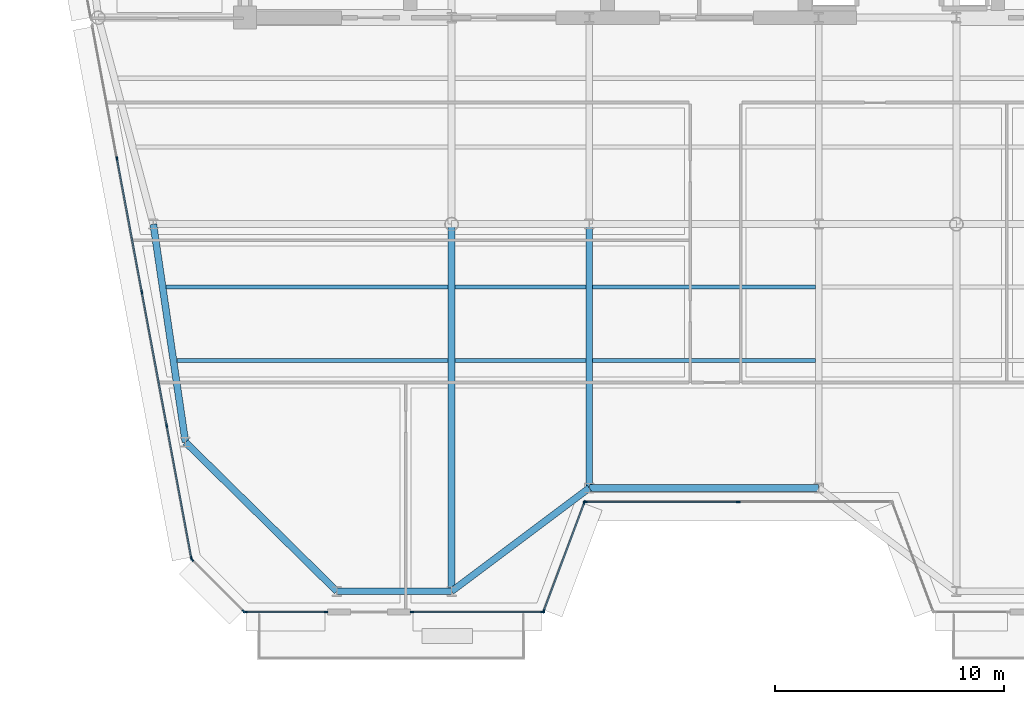
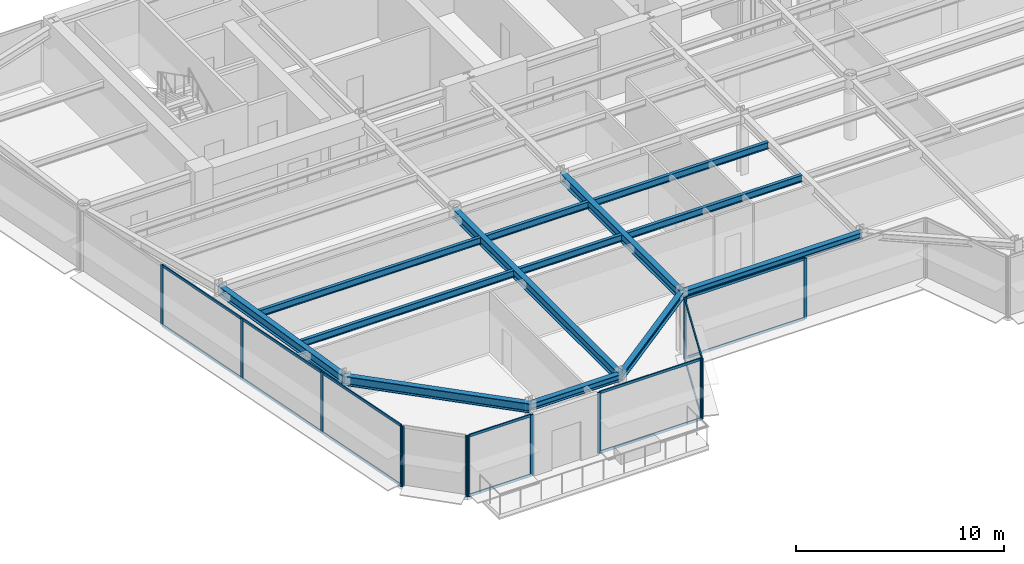
# One storey, part 2 of 14: 28 members, 13 beams, 6 elements without a shape of their own.
"""IFC4 building model written with IfcOpenShell, lengths in metres."""

from ifc_helpers import new_model, si_unit, direction, frame, origin, origin_2d, place, context, subcontext, project, spatial, rectangle, i_section, extrude, source, transform, mapped, material, layer, layer_set, material_profile, profile_set, type_object, element, aggregate, save


model = new_model("IFC4")

# Units and contexts
model_context = context("Model", 3, precision=1e-05, world=origin(), true_north=direction((0.0, 1.0)))
body_context = subcontext(model_context, "Body", "Model", "MODEL_VIEW")
ifc_project = project(units=[si_unit("LENGTHUNIT", "METRE"), si_unit("AREAUNIT", "SQUARE_METRE"), si_unit("VOLUMEUNIT", "CUBIC_METRE"), si_unit("PLANEANGLEUNIT", "RADIAN"), si_unit("MASSUNIT", "GRAM", prefix="KILO")], contexts=[model_context])

# Site, building, storey
site_placement = place(None, origin())
site = spatial("IfcSite", under=ifc_project, at=site_placement, CompositionType="ELEMENT")
building_placement = place(site_placement, origin())
building = spatial("IfcBuilding", under=site, at=building_placement, Name="Vaeldorn Concourse Tower", CompositionType="ELEMENT")
storey_placement = place(building_placement, frame((0.0, 0.0, 238.39990234375)))
storey = spatial("IfcBuildingStorey", under=building, at=storey_placement, Name="L61", CompositionType="ELEMENT", Elevation=238.39990234375)

# Beams
ifc_material_1 = material(Name="Steel S355", Category="steel")
ifc_material_profile_1 = material_profile(ifc_material_1, i_section(OverallWidth=0.300048828125, OverallDepth=0.39990234375, WebThickness=0.013427734375, FlangeThickness=0.02392578125, FilletRadius=0.027099609375, at=origin_2d()), Name="HEB 400")
ifc_profile_set_1 = profile_set([ifc_material_profile_1], Name="Steel S355")
beam_type_1 = type_object("IfcBeamType", Name="BM-SP-HEB400", PredefinedType="SPANDREL", material=ifc_profile_set_1)
shared_shape_1 = source(origin(), body_context, "Body", "SweptSolid", [
    extrude(i_section(OverallWidth=0.300048828125, OverallDepth=0.39990234375, WebThickness=0.013427734375, FlangeThickness=0.02392578125, FilletRadius=0.027099609375, at=origin_2d()), origin(), (0.0, 0.0, 1.0), 5.0),
])
beam_1_placement = place(storey_placement, frame((18.0, 11.5, 3.380126953125), z_axis=(1.0, 0.0, 0.0), x_axis=(0.0, 1.0, 0.0)))
element("IfcBeam", 1, at=beam_1_placement, inside=storey, type_object=beam_type_1, Name="Beam BM-L61-C-SF1-C-SF2", PredefinedType="SPANDREL", context=body_context, shape_type="MappedRepresentation", body=[
    mapped(shared_shape_1, transform((0.0, 0.0, 0.0), scale=1.0)),
])
shared_shape_2 = source(origin(), body_context, "Body", "SweptSolid", [
    extrude(i_section(OverallWidth=0.300048828125, OverallDepth=0.39990234375, WebThickness=0.013427734375, FlangeThickness=0.02392578125, FilletRadius=0.027099609375, at=origin_2d()), origin(), (0.0, 0.0, 1.0), 7.5),
])
beam_2_placement = place(storey_placement, frame((23.0, 11.5, 3.380126953125), z_axis=(0.8, 0.6, 0.0), x_axis=(-0.6, 0.8, 0.0)))
element("IfcBeam", 2, at=beam_2_placement, inside=storey, type_object=beam_type_1, Name="Beam BM-L61-C-SF2-C-SF3", PredefinedType="SPANDREL", context=body_context, shape_type="MappedRepresentation", body=[
    mapped(shared_shape_2, transform((0.0, 0.0, 0.0), scale=1.0)),
])
shared_shape_3 = source(origin(), body_context, "Body", "SweptSolid", [
    extrude(i_section(OverallWidth=0.300048828125, OverallDepth=0.39990234375, WebThickness=0.013427734375, FlangeThickness=0.02392578125, FilletRadius=0.027099609375, at=origin_2d()), origin(), (0.0, 0.0, 1.0), 10.0),
])
beam_3_placement = place(storey_placement, frame((29.0, 16.0, 3.380126953125), z_axis=(1.0, 0.0, 0.0), x_axis=(0.0, 1.0, 0.0)))
element("IfcBeam", 3, at=beam_3_placement, inside=storey, type_object=beam_type_1, Name="Beam BM-L61-C-SF3-C-SF4", PredefinedType="SPANDREL", context=body_context, shape_type="MappedRepresentation", body=[
    mapped(shared_shape_3, transform((0.0, 0.0, 0.0), scale=1.0)),
])
ifc_material_profile_2 = material_profile(ifc_material_1, i_section(OverallWidth=0.179931640625, OverallDepth=0.39990234375, WebThickness=0.008544921875, FlangeThickness=0.013427734375, FilletRadius=0.02099609375, at=origin_2d()), Name="IPE 400")
ifc_profile_set_2 = profile_set([ifc_material_profile_2], Name="Steel S355")
beam_type_2 = type_object("IfcBeamType", Name="BM-JS-IPE400", PredefinedType="JOIST", material=ifc_profile_set_2)
shared_shape_4 = source(origin(), body_context, "Body", "SweptSolid", [
    extrude(i_section(OverallWidth=0.179931640625, OverallDepth=0.39990234375, WebThickness=0.008544921875, FlangeThickness=0.013427734375, FilletRadius=0.02099609375, at=origin_2d()), origin(), (0.0, 0.0, 1.0), 5.7001953125),
])
for number, where, z_axis, x_axis, name in (
    (4, (23.14990234375, 21.56005859375, 3.380126953125), (1.0, 0.0, 0.0), (0.0, 1.0, 0.0), "Beam JS-L61-W2-215"),
    (5, (23.14990234375, 24.760009765625, 3.380126953125), (1.0, 0.0, 0.0), (0.0, 1.0, 0.0), "Beam JS-L61-W2-247"),
):
    element("IfcBeam", number, at=place(storey_placement, frame(where, z_axis=z_axis, x_axis=x_axis)), inside=storey, type_object=beam_type_2, Name=name, PredefinedType="JOIST", context=body_context, shape_type="MappedRepresentation", body=[
        mapped(shared_shape_4, transform((0.0, 0.0, 0.0), scale=1.0)),
    ])
shared_shape_5 = source(origin(), body_context, "Body", "SweptSolid", [
    extrude(i_section(OverallWidth=0.179931640625, OverallDepth=0.39990234375, WebThickness=0.008544921875, FlangeThickness=0.013427734375, FilletRadius=0.02099609375, at=origin_2d()), origin(), (0.0, 0.0, 1.0), 9.7001953125),
])
for number, where, z_axis, x_axis, name in (
    (6, (29.14990234375, 21.56005859375, 3.380126953125), (1.0, 0.0, 0.0), (0.0, 1.0, 0.0), "Beam JS-L61-C-215"),
    (7, (29.14990234375, 24.760009765625, 3.380126953125), (1.0, 0.0, 0.0), (0.0, 1.0, 0.0), "Beam JS-L61-C-247"),
):
    element("IfcBeam", number, at=place(storey_placement, frame(where, z_axis=z_axis, x_axis=x_axis)), inside=storey, type_object=beam_type_2, Name=name, PredefinedType="JOIST", context=body_context, shape_type="MappedRepresentation", body=[
        mapped(shared_shape_5, transform((0.0, 0.0, 0.0), scale=1.0)),
    ])
shared_shape_6 = source(origin(), body_context, "Body", "SweptSolid", [
    extrude(i_section(OverallWidth=0.179931640625, OverallDepth=0.39990234375, WebThickness=0.008544921875, FlangeThickness=0.013427734375, FilletRadius=0.02099609375, at=origin_2d()), origin(), (0.0, 0.0, 1.0), 11.82470703125),
])
beam_4_placement = place(storey_placement, frame((11.025390625, 21.56005859375, 3.380126953125), z_axis=(1.0, 0.0, 0.0), x_axis=(0.0, 1.0, 0.0)))
element("IfcBeam", 8, at=beam_4_placement, inside=storey, type_object=beam_type_2, Name="Beam JS-L61-W1-215", PredefinedType="JOIST", context=body_context, shape_type="MappedRepresentation", body=[
    mapped(shared_shape_6, transform((0.0, 0.0, 0.0), scale=1.0)),
])
shared_shape_7 = source(origin(), body_context, "Body", "SweptSolid", [
    extrude(i_section(OverallWidth=0.179931640625, OverallDepth=0.39990234375, WebThickness=0.008544921875, FlangeThickness=0.013427734375, FilletRadius=0.02099609375, at=origin_2d()), origin(), (0.0, 0.0, 1.0), 12.29638671875),
])
beam_5_placement = place(storey_placement, frame((10.5537109375, 24.760009765625, 3.380126953125), z_axis=(1.0, 0.0, 0.0), x_axis=(0.0, 1.0, 0.0)))
element("IfcBeam", 9, at=beam_5_placement, inside=storey, type_object=beam_type_2, Name="Beam JS-L61-W1-247", PredefinedType="JOIST", context=body_context, shape_type="MappedRepresentation", body=[
    mapped(shared_shape_7, transform((0.0, 0.0, 0.0), scale=1.0)),
])
ifc_material_profile_3 = material_profile(ifc_material_1, i_section(OverallWidth=0.300048828125, OverallDepth=0.550048828125, WebThickness=0.014892578125, FlangeThickness=0.029052734375, FilletRadius=0.027099609375, at=origin_2d()), Name="HEB 550")
ifc_profile_set_3 = profile_set([ifc_material_profile_3], Name="Steel S355")
beam_type_3 = type_object("IfcBeamType", Name="BM-PG-HEB550", PredefinedType="BEAM", material=ifc_profile_set_3)
shared_shape_8 = source(origin(), body_context, "Body", "SweptSolid", [
    extrude(i_section(OverallWidth=0.300048828125, OverallDepth=0.550048828125, WebThickness=0.014892578125, FlangeThickness=0.029052734375, FilletRadius=0.027099609375, at=origin_2d()), origin(), (0.0, 0.0, 1.0), 9.6025390625),
])
beam_6_placement = place(storey_placement, frame((10.0, 27.5, 3.30517578125), z_axis=(0.145783835977, -0.989316467652, 0.0), x_axis=(0.989316467652, 0.145783835977, 0.0)))
element("IfcBeam", 10, at=beam_6_placement, inside=storey, type_object=beam_type_3, Name="Beam BM-L61-C-FLW1-C-FLW2", PredefinedType="BEAM", context=body_context, shape_type="MappedRepresentation", body=[
    mapped(shared_shape_8, transform((0.0, 0.0, 0.0), scale=1.0)),
])
shared_shape_9 = source(origin(), body_context, "Body", "SweptSolid", [
    extrude(i_section(OverallWidth=0.300048828125, OverallDepth=0.550048828125, WebThickness=0.014892578125, FlangeThickness=0.029052734375, FilletRadius=0.027099609375, at=origin_2d()), origin(), (0.0, 0.0, 1.0), 9.263427734375),
])
beam_7_placement = place(storey_placement, frame((18.0, 11.5, 3.30517578125), z_axis=(-0.71248897494, 0.701683305053, 0.0), x_axis=(-0.701683305053, -0.71248897494, 0.0)))
element("IfcBeam", 11, at=beam_7_placement, inside=storey, type_object=beam_type_3, Name="Beam BM-L61-C-SF1-C-FLW2", PredefinedType="BEAM", context=body_context, shape_type="MappedRepresentation", body=[
    mapped(shared_shape_9, transform((0.0, 0.0, 0.0), scale=1.0)),
])
shared_shape_10 = source(origin(), body_context, "Body", "SweptSolid", [
    extrude(i_section(OverallWidth=0.300048828125, OverallDepth=0.550048828125, WebThickness=0.014892578125, FlangeThickness=0.029052734375, FilletRadius=0.027099609375, at=origin_2d()), origin(), (0.0, 0.0, 1.0), 16.0),
])
beam_8_placement = place(storey_placement, frame((23.0, 11.5, 3.30517578125), z_axis=(0.0, 1.0, 0.0), x_axis=(-1.0, 0.0, 0.0)))
element("IfcBeam", 12, at=beam_8_placement, inside=storey, type_object=beam_type_3, Name="Beam BM-L61-C-SF2-C-TW1", PredefinedType="BEAM", context=body_context, shape_type="MappedRepresentation", body=[
    mapped(shared_shape_10, transform((0.0, 0.0, 0.0), scale=1.0)),
])
shared_shape_11 = source(origin(), body_context, "Body", "SweptSolid", [
    extrude(i_section(OverallWidth=0.300048828125, OverallDepth=0.550048828125, WebThickness=0.014892578125, FlangeThickness=0.029052734375, FilletRadius=0.027099609375, at=origin_2d()), origin(), (0.0, 0.0, 1.0), 11.5),
])
beam_9_placement = place(storey_placement, frame((29.0, 16.0, 3.30517578125), z_axis=(0.0, 1.0, 0.0), x_axis=(-1.0, 0.0, 0.0)))
element("IfcBeam", 13, at=beam_9_placement, inside=storey, type_object=beam_type_3, Name="Beam BM-L61-C-SF3-C-TW2", PredefinedType="BEAM", context=body_context, shape_type="MappedRepresentation", body=[
    mapped(shared_shape_11, transform((0.0, 0.0, 0.0), scale=1.0)),
])

# Curtain wall, members
ifc_material_2 = material(Name="Anodised Bronze Aluminium", Category="aluminium")
ifc_layer = layer(ifc_material_2, 0.2099609375)
ifc_layer_set = layer_set([ifc_layer], Name="Anodised Bronze Aluminium")
curtain_wall_type = type_object("IfcCurtainWallType", Name="CW-SYS-06", PredefinedType="NOTDEFINED", material=ifc_layer_set)
curtain_wall_1_placement = place(storey_placement, origin())
curtain_wall_1 = element("IfcCurtainWall", 14, at=curtain_wall_1_placement, inside=storey, type_object=curtain_wall_type, Name="Unitised Curtain Wall CW-L61-E02-1", PredefinedType="NOTDEFINED")
ifc_material_profile_4 = material_profile(ifc_material_2, rectangle(XDim=0.06494140625, YDim=0.14990234375, at=origin_2d()), Name="CWT 65x150")
ifc_profile_set_4 = profile_set([ifc_material_profile_4], Name="Anodised Bronze Aluminium")
member_type_1 = type_object("IfcMemberType", Name="CWT-BRONZE-150", PredefinedType="USERDEFINED", material=ifc_profile_set_4)
shared_shape_12 = source(origin(), body_context, "Body", "SweptSolid", [
    extrude(rectangle(XDim=0.06494140625, YDim=0.14990234375, at=origin_2d()), origin(), (0.0, 0.0, 1.0), 4.996337890625),
])
member_1_placement = place(storey_placement, frame((27.022705078125, 10.660888671875, 0.03271484375), z_axis=(0.351134151405, 0.936325161318, 0.0), x_axis=(-0.936325161318, 0.351134151405, 0.0)))
member_1 = element("IfcMember", 15, at=member_1_placement, type_object=member_type_1, Name="CW-06 transom 1.1", ObjectType="TRANSOM", PredefinedType="USERDEFINED", context=body_context, shape_type="MappedRepresentation", body=[
    mapped(shared_shape_12, transform((0.0, 0.0, 0.0), scale=1.0)),
])
member_2_placement = place(storey_placement, frame((27.022705078125, 10.660888671875, 3.547607421875), z_axis=(0.351134151405, 0.936325161318, 0.0), x_axis=(-0.936325161318, 0.351134151405, 0.0)))
member_2 = element("IfcMember", 16, at=member_2_placement, type_object=member_type_1, Name="CW-06 transom 1.2", ObjectType="TRANSOM", PredefinedType="USERDEFINED", context=body_context, shape_type="MappedRepresentation", body=[
    mapped(shared_shape_12, transform((0.0, 0.0, 0.0), scale=1.0)),
])

curtain_wall_2_placement = place(storey_placement, origin())
curtain_wall_2 = element("IfcCurtainWall", 17, at=curtain_wall_2_placement, inside=storey, type_object=curtain_wall_type, Name="Unitised Curtain Wall CW-L61-E03-1", PredefinedType="NOTDEFINED")
shared_shape_13 = source(origin(), body_context, "Body", "SweptSolid", [
    extrude(rectangle(XDim=0.06494140625, YDim=0.14990234375, at=origin_2d()), origin(), (0.0, 0.0, 1.0), 6.6025390625),
])
member_3_placement = place(storey_placement, frame((28.864990234375, 15.39990234375, 0.03271484375), z_axis=(1.0, 0.0, 0.0), x_axis=(0.0, 1.0, 0.0)))
member_3 = element("IfcMember", 18, at=member_3_placement, type_object=member_type_1, Name="CW-06 transom 1.1", ObjectType="TRANSOM", PredefinedType="USERDEFINED", context=body_context, shape_type="MappedRepresentation", body=[
    mapped(shared_shape_13, transform((0.0, 0.0, 0.0), scale=1.0)),
])
member_4_placement = place(storey_placement, frame((28.864990234375, 15.39990234375, 3.547607421875), z_axis=(1.0, 0.0, 0.0), x_axis=(0.0, 1.0, 0.0)))
member_4 = element("IfcMember", 19, at=member_4_placement, type_object=member_type_1, Name="CW-06 transom 1.2", ObjectType="TRANSOM", PredefinedType="USERDEFINED", context=body_context, shape_type="MappedRepresentation", body=[
    mapped(shared_shape_13, transform((0.0, 0.0, 0.0), scale=1.0)),
])

curtain_wall_3_placement = place(storey_placement, origin())
curtain_wall_3 = element("IfcCurtainWall", 20, at=curtain_wall_3_placement, inside=storey, type_object=curtain_wall_type, Name="Unitised Curtain Wall CW-L61-E01-1", PredefinedType="NOTDEFINED")
ifc_material_profile_5 = material_profile(ifc_material_2, rectangle(XDim=0.06494140625, YDim=0.169921875, at=origin_2d()), Name="CWM 65x170")
ifc_profile_set_5 = profile_set([ifc_material_profile_5], Name="Anodised Bronze Aluminium")
member_type_2 = type_object("IfcMemberType", Name="CWM-BRONZE-170", PredefinedType="MULLION", material=ifc_profile_set_5)
shared_shape_14 = source(origin(), body_context, "Body", "SweptSolid", [
    extrude(rectangle(XDim=0.06494140625, YDim=0.169921875, at=origin_2d()), origin(), (0.0, 0.0, 1.0), 3.580078125),
])
member_5_placement = place(storey_placement, frame((13.99853515625, 10.60009765625, 0.0), z_axis=(0.0, 0.0, 1.0), x_axis=(0.0, 1.0, 0.0)))
member_5 = element("IfcMember", 21, at=member_5_placement, type_object=member_type_2, Name="CW-06 mullion 1", PredefinedType="MULLION", context=body_context, shape_type="MappedRepresentation", body=[
    mapped(shared_shape_14, transform((0.0, 0.0, 0.0), scale=1.0)),
])
member_6_placement = place(storey_placement, frame((17.527587890625, 10.60009765625, 0.0), z_axis=(0.0, 0.0, 1.0), x_axis=(0.0, 1.0, 0.0)))
member_6 = element("IfcMember", 22, at=member_6_placement, type_object=member_type_2, Name="CW-06 mullion 2", PredefinedType="MULLION", context=body_context, shape_type="MappedRepresentation", body=[
    mapped(shared_shape_14, transform((0.0, 0.0, 0.0), scale=1.0)),
])

curtain_wall_4_placement = place(storey_placement, origin())
curtain_wall_4 = element("IfcCurtainWall", 23, at=curtain_wall_4_placement, inside=storey, type_object=curtain_wall_type, Name="Unitised Curtain Wall CW-L61-E01-2", PredefinedType="NOTDEFINED")
member_7_placement = place(storey_placement, frame((21.2724609375, 10.60009765625, 0.0), z_axis=(0.0, 0.0, 1.0), x_axis=(0.0, 1.0, 0.0)))
member_7 = element("IfcMember", 24, at=member_7_placement, type_object=member_type_2, Name="CW-06 mullion 1", PredefinedType="MULLION", context=body_context, shape_type="MappedRepresentation", body=[
    mapped(shared_shape_14, transform((0.0, 0.0, 0.0), scale=1.0)),
])
member_8_placement = place(storey_placement, frame((26.967529296875, 10.60009765625, 0.0), z_axis=(0.0, 0.0, 1.0), x_axis=(0.0, 1.0, 0.0)))
member_8 = element("IfcMember", 25, at=member_8_placement, type_object=member_type_2, Name="CW-06 mullion 2", PredefinedType="MULLION", context=body_context, shape_type="MappedRepresentation", body=[
    mapped(shared_shape_14, transform((0.0, 0.0, 0.0), scale=1.0)),
])

# Member
member_9_placement = place(storey_placement, frame((27.011474609375, 10.63037109375, 0.0), z_axis=(0.0, 0.0, 1.0), x_axis=(-0.936329177566, 0.351123441595, 0.0)))
member_9 = element("IfcMember", 26, at=member_9_placement, type_object=member_type_2, Name="CW-06 mullion 1", PredefinedType="MULLION", context=body_context, shape_type="MappedRepresentation", body=[
    mapped(shared_shape_14, transform((0.0, 0.0, 0.0), scale=1.0)),
])

member_10_placement = place(storey_placement, frame((28.78857421875, 15.36962890625, 0.0), z_axis=(0.0, 0.0, 1.0), x_axis=(-0.936329177566, 0.351123441595, 0.0)))
member_10 = element("IfcMember", 27, at=member_10_placement, type_object=member_type_2, Name="CW-06 mullion 2", PredefinedType="MULLION", context=body_context, shape_type="MappedRepresentation", body=[
    mapped(shared_shape_14, transform((0.0, 0.0, 0.0), scale=1.0)),
])

aggregate(curtain_wall_1, [member_9, member_10, member_1, member_2])

member_11_placement = place(storey_placement, frame((28.83251953125, 15.39990234375, 0.0), z_axis=(0.0, 0.0, 1.0), x_axis=(0.0, 1.0, 0.0)))
member_11 = element("IfcMember", 28, at=member_11_placement, type_object=member_type_2, Name="CW-06 mullion 1", PredefinedType="MULLION", context=body_context, shape_type="MappedRepresentation", body=[
    mapped(shared_shape_14, transform((0.0, 0.0, 0.0), scale=1.0)),
])

member_12_placement = place(storey_placement, frame((35.5, 15.39990234375, 0.0), z_axis=(0.0, 0.0, 1.0), x_axis=(0.0, 1.0, 0.0)))
member_12 = element("IfcMember", 29, at=member_12_placement, type_object=member_type_2, Name="CW-06 mullion 2", PredefinedType="MULLION", context=body_context, shape_type="MappedRepresentation", body=[
    mapped(shared_shape_14, transform((0.0, 0.0, 0.0), scale=1.0)),
])

aggregate(curtain_wall_2, [member_11, member_12, member_3, member_4])

# Curtain wall, members
curtain_wall_5_placement = place(storey_placement, origin())
curtain_wall_5 = element("IfcCurtainWall", 30, at=curtain_wall_5_placement, inside=storey, type_object=curtain_wall_type, Name="Unitised Curtain Wall CW-L61-E11-2", PredefinedType="NOTDEFINED")
member_13_placement = place(storey_placement, frame((8.414306640625, 30.36376953125, 0.0), z_axis=(0.0, 0.0, 1.0), x_axis=(0.983102653673, 0.18305510739, 0.0)))
member_13 = element("IfcMember", 31, at=member_13_placement, type_object=member_type_2, Name="CW-06 mullion 2", PredefinedType="MULLION", context=body_context, shape_type="MappedRepresentation", body=[
    mapped(shared_shape_14, transform((0.0, 0.0, 0.0), scale=1.0)),
])
member_14_placement = place(storey_placement, frame((9.498046875, 24.54248046875, 0.0), z_axis=(0.0, 0.0, 1.0), x_axis=(0.983102653673, 0.18305510739, 0.0)))
member_14 = element("IfcMember", 32, at=member_14_placement, type_object=member_type_2, Name="CW-06 mullion 3", PredefinedType="MULLION", context=body_context, shape_type="MappedRepresentation", body=[
    mapped(shared_shape_14, transform((0.0, 0.0, 0.0), scale=1.0)),
])
member_15_placement = place(storey_placement, frame((10.58203125, 18.72119140625, 0.0), z_axis=(0.0, 0.0, 1.0), x_axis=(0.983102653673, 0.18305510739, 0.0)))
member_15 = element("IfcMember", 33, at=member_15_placement, type_object=member_type_2, Name="CW-06 mullion 4", PredefinedType="MULLION", context=body_context, shape_type="MappedRepresentation", body=[
    mapped(shared_shape_14, transform((0.0, 0.0, 0.0), scale=1.0)),
])
member_16_placement = place(storey_placement, frame((11.66015625, 12.931884765625, 0.0), z_axis=(0.0, 0.0, 1.0), x_axis=(0.983102653673, 0.18305510739, 0.0)))
member_16 = element("IfcMember", 34, at=member_16_placement, type_object=member_type_2, Name="CW-06 mullion 5", PredefinedType="MULLION", context=body_context, shape_type="MappedRepresentation", body=[
    mapped(shared_shape_14, transform((0.0, 0.0, 0.0), scale=1.0)),
])

curtain_wall_6_placement = place(storey_placement, origin())
curtain_wall_6 = element("IfcCurtainWall", 35, at=curtain_wall_6_placement, inside=storey, type_object=curtain_wall_type, Name="Unitised Curtain Wall CW-L61-E12-1", PredefinedType="NOTDEFINED")
member_17_placement = place(storey_placement, frame((11.68896484375, 12.876953125, 0.0), z_axis=(0.0, 0.0, 1.0), x_axis=(0.707106781187, 0.707106781187, 0.0)))
member_17 = element("IfcMember", 36, at=member_17_placement, type_object=member_type_2, Name="CW-06 mullion 1", PredefinedType="MULLION", context=body_context, shape_type="MappedRepresentation", body=[
    mapped(shared_shape_14, transform((0.0, 0.0, 0.0), scale=1.0)),
])
member_18_placement = place(storey_placement, frame((13.943115234375, 10.623046875, 0.0), z_axis=(0.0, 0.0, 1.0), x_axis=(0.707106781187, 0.707106781187, 0.0)))
member_18 = element("IfcMember", 37, at=member_18_placement, type_object=member_type_2, Name="CW-06 mullion 2", PredefinedType="MULLION", context=body_context, shape_type="MappedRepresentation", body=[
    mapped(shared_shape_14, transform((0.0, 0.0, 0.0), scale=1.0)),
])
aggregate(curtain_wall_6, [member_17, member_18])

# Member
shared_shape_15 = source(origin(), body_context, "Body", "SweptSolid", [
    extrude(rectangle(XDim=0.06494140625, YDim=0.14990234375, at=origin_2d()), origin(), (0.0, 0.0, 1.0), 3.464111328125),
])
member_19_placement = place(storey_placement, frame((14.031005859375, 10.60009765625, 0.03271484375), z_axis=(1.0, 0.0, 0.0), x_axis=(0.0, 1.0, 0.0)))
member_19 = element("IfcMember", 38, at=member_19_placement, type_object=member_type_1, Name="CW-06 transom 1.1", ObjectType="TRANSOM", PredefinedType="USERDEFINED", context=body_context, shape_type="MappedRepresentation", body=[
    mapped(shared_shape_15, transform((0.0, 0.0, 0.0), scale=1.0)),
])

member_20_placement = place(storey_placement, frame((14.031005859375, 10.60009765625, 3.547607421875), z_axis=(1.0, 0.0, 0.0), x_axis=(0.0, 1.0, 0.0)))
member_20 = element("IfcMember", 39, at=member_20_placement, type_object=member_type_1, Name="CW-06 transom 1.2", ObjectType="TRANSOM", PredefinedType="USERDEFINED", context=body_context, shape_type="MappedRepresentation", body=[
    mapped(shared_shape_15, transform((0.0, 0.0, 0.0), scale=1.0)),
])

aggregate(curtain_wall_3, [member_5, member_6, member_19, member_20])

shared_shape_16 = source(origin(), body_context, "Body", "SweptSolid", [
    extrude(rectangle(XDim=0.06494140625, YDim=0.14990234375, at=origin_2d()), origin(), (0.0, 0.0, 1.0), 5.630126953125),
])
member_21_placement = place(storey_placement, frame((21.304931640625, 10.60009765625, 0.03271484375), z_axis=(1.0, 0.0, 0.0), x_axis=(0.0, 1.0, 0.0)))
member_21 = element("IfcMember", 40, at=member_21_placement, type_object=member_type_1, Name="CW-06 transom 1.1", ObjectType="TRANSOM", PredefinedType="USERDEFINED", context=body_context, shape_type="MappedRepresentation", body=[
    mapped(shared_shape_16, transform((0.0, 0.0, 0.0), scale=1.0)),
])

member_22_placement = place(storey_placement, frame((21.304931640625, 10.60009765625, 3.547607421875), z_axis=(1.0, 0.0, 0.0), x_axis=(0.0, 1.0, 0.0)))
member_22 = element("IfcMember", 41, at=member_22_placement, type_object=member_type_1, Name="CW-06 transom 1.2", ObjectType="TRANSOM", PredefinedType="USERDEFINED", context=body_context, shape_type="MappedRepresentation", body=[
    mapped(shared_shape_16, transform((0.0, 0.0, 0.0), scale=1.0)),
])

aggregate(curtain_wall_4, [member_7, member_8, member_21, member_22])

shared_shape_17 = source(origin(), body_context, "Body", "SweptSolid", [
    extrude(rectangle(XDim=0.06494140625, YDim=0.14990234375, at=origin_2d()), origin(), (0.0, 0.0, 1.0), 5.82373046875),
])
member_23_placement = place(storey_placement, frame((10.588134765625, 18.689208984375, 0.03271484375), z_axis=(0.183030414843, -0.983107251139, 0.0), x_axis=(0.983107251139, 0.183030414843, 0.0)))
member_23 = element("IfcMember", 42, at=member_23_placement, type_object=member_type_1, Name="CW-06 transom 4.1", ObjectType="TRANSOM", PredefinedType="USERDEFINED", context=body_context, shape_type="MappedRepresentation", body=[
    mapped(shared_shape_17, transform((0.0, 0.0, 0.0), scale=1.0)),
])

member_24_placement = place(storey_placement, frame((10.588134765625, 18.689208984375, 3.547607421875), z_axis=(0.183030414843, -0.983107251139, 0.0), x_axis=(0.983107251139, 0.183030414843, 0.0)))
member_24 = element("IfcMember", 43, at=member_24_placement, type_object=member_type_1, Name="CW-06 transom 4.2", ObjectType="TRANSOM", PredefinedType="USERDEFINED", context=body_context, shape_type="MappedRepresentation", body=[
    mapped(shared_shape_17, transform((0.0, 0.0, 0.0), scale=1.0)),
])

shared_shape_18 = source(origin(), body_context, "Body", "SweptSolid", [
    extrude(rectangle(XDim=0.06494140625, YDim=0.14990234375, at=origin_2d()), origin(), (0.0, 0.0, 1.0), 5.856201171875),
])
member_25_placement = place(storey_placement, frame((8.420166015625, 30.331787109375, 0.03271484375), z_axis=(0.18305503402, -0.983102667334, 0.0), x_axis=(0.983102667334, 0.18305503402, 0.0)))
member_25 = element("IfcMember", 44, at=member_25_placement, type_object=member_type_1, Name="CW-06 transom 2.1", ObjectType="TRANSOM", PredefinedType="USERDEFINED", context=body_context, shape_type="MappedRepresentation", body=[
    mapped(shared_shape_18, transform((0.0, 0.0, 0.0), scale=1.0)),
])

member_26_placement = place(storey_placement, frame((8.420166015625, 30.331787109375, 3.547607421875), z_axis=(0.18305503402, -0.983102667334, 0.0), x_axis=(0.983102667334, 0.18305503402, 0.0)))
member_26 = element("IfcMember", 45, at=member_26_placement, type_object=member_type_1, Name="CW-06 transom 2.2", ObjectType="TRANSOM", PredefinedType="USERDEFINED", context=body_context, shape_type="MappedRepresentation", body=[
    mapped(shared_shape_18, transform((0.0, 0.0, 0.0), scale=1.0)),
])

member_27_placement = place(storey_placement, frame((9.504150390625, 24.510498046875, 0.03271484375), z_axis=(0.18305503402, -0.983102667334, 0.0), x_axis=(0.983102667334, 0.18305503402, 0.0)))
member_27 = element("IfcMember", 46, at=member_27_placement, type_object=member_type_1, Name="CW-06 transom 3.1", ObjectType="TRANSOM", PredefinedType="USERDEFINED", context=body_context, shape_type="MappedRepresentation", body=[
    mapped(shared_shape_18, transform((0.0, 0.0, 0.0), scale=1.0)),
])

member_28_placement = place(storey_placement, frame((9.504150390625, 24.510498046875, 3.547607421875), z_axis=(0.18305503402, -0.983102667334, 0.0), x_axis=(0.983102667334, 0.18305503402, 0.0)))
member_28 = element("IfcMember", 47, at=member_28_placement, type_object=member_type_1, Name="CW-06 transom 3.2", ObjectType="TRANSOM", PredefinedType="USERDEFINED", context=body_context, shape_type="MappedRepresentation", body=[
    mapped(shared_shape_18, transform((0.0, 0.0, 0.0), scale=1.0)),
])

aggregate(curtain_wall_5, [member_13, member_14, member_15, member_16, member_25, member_26, member_27, member_28, member_23, member_24])

save(model, "model.ifc")
